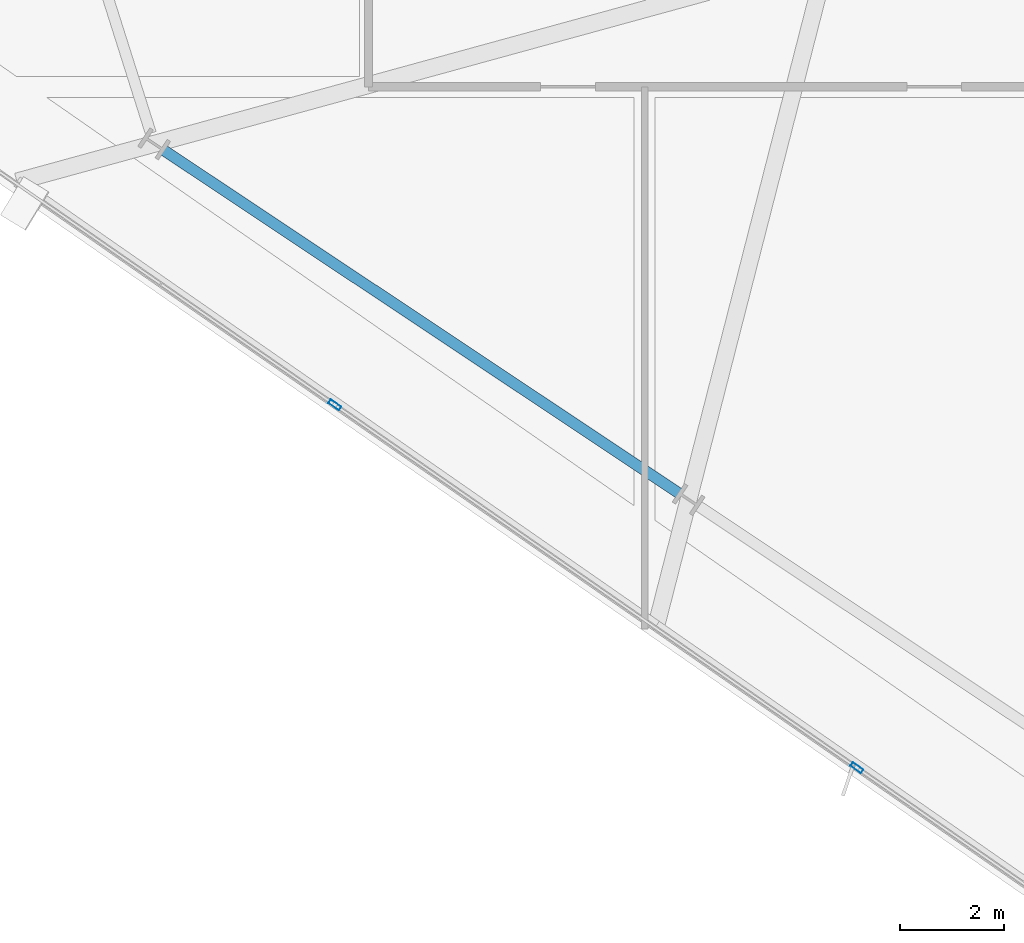
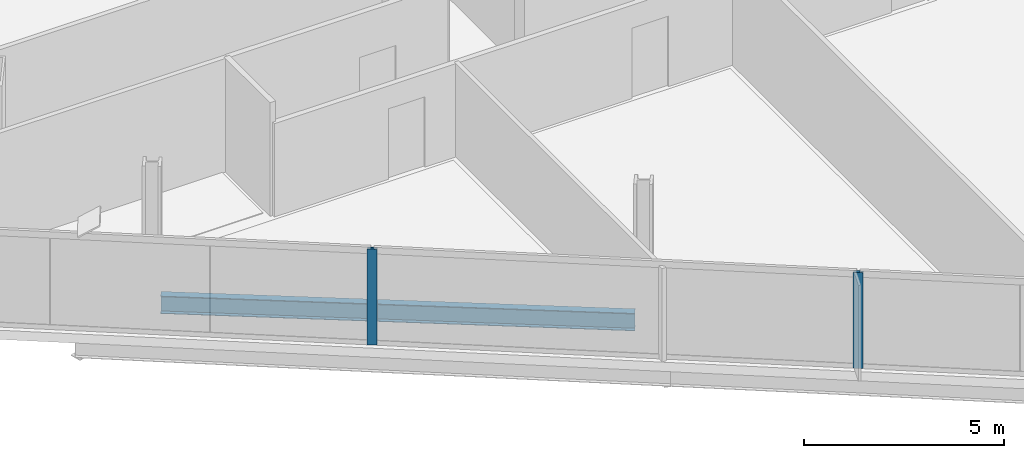
# One storey, part 2 of 30: 2 members, 1 beam, 1 element without a shape of its own.
"""IFC4 building model written with IfcOpenShell, lengths in metres."""

import ifcopenshell
import ifcopenshell.guid

model = None  # the IFC model being written
_history = None  # IfcOwnerHistory: only IFC2X3 demands one
_inside = {}  # id of a spatial element -> (the spatial element, [elements in it])
_under = {}  # id of a project, library or spatial element -> (it, [spatial elements below it])
_declared = {}  # id of a project -> (the project, [libraries it declares])
_typed = {}  # id of a type object -> (the type object, [elements of that type])
_made_of = {}  # id of a material, layer set ... -> (it, [elements and type objects made of it])


def new_model(schema):
    """Start an empty IFC model of exactly this schema.

    Asked for "IFC4X3", IfcOpenShell would pick the latest addendum, in which some entities
    have other attributes; the version numbers below select the first issue.
    IFC2X3 requires an IfcOwnerHistory on every rooted entity: one is made here for all.
    """
    global model, _history
    if schema == "IFC4X3":
        model = ifcopenshell.file(schema_version=(4, 3, 0, 0))
    else:
        model = ifcopenshell.file(schema=schema)
    _inside.clear()
    _under.clear()
    _declared.clear()
    _typed.clear()
    _made_of.clear()
    _history = None
    if model.schema == "IFC2X3":
        org = make("IfcOrganization", Name="unknown")
        user = make(
            "IfcPersonAndOrganization",
            ThePerson=make("IfcPerson", FamilyName="unknown"),
            TheOrganization=org,
        )
        app = make(
            "IfcApplication",
            ApplicationDeveloper=org,
            Version="unknown",
            ApplicationFullName="unknown",
            ApplicationIdentifier="unknown",
        )
        _history = make(
            "IfcOwnerHistory",
            OwningUser=user,
            OwningApplication=app,
            ChangeAction="ADDED",
            CreationDate=0,
        )
    return model


def make(cls, **values):
    """One entity of the class cls with the attributes given. An attribute that is None is left unset."""
    return model.create_entity(
        cls, **{name: value for name, value in values.items() if value is not None}
    )


def rooted(cls, **values):
    """An entity with a GlobalId (a new one), such as an element, a storey or a relation."""
    return make(cls, GlobalId=ifcopenshell.guid.new(), OwnerHistory=_history, **values)


def si_unit(unit_type, name, prefix=None):
    """IfcSIUnit, for example si_unit("LENGTHUNIT", "METRE", prefix="MILLI")."""
    return make("IfcSIUnit", UnitType=unit_type, Prefix=prefix, Name=name)


def assignment(units):
    """IfcUnitAssignment: the units of a project."""
    return None if units is None else make("IfcUnitAssignment", Units=units)


def point(xyz):
    """IfcCartesianPoint."""
    return None if xyz is None else make("IfcCartesianPoint", Coordinates=xyz)


def direction(xyz):
    """IfcDirection."""
    return None if xyz is None else make("IfcDirection", DirectionRatios=xyz)


def frame(location, z_axis=None, x_axis=None):
    """IfcAxis2Placement3D, a coordinate frame: its origin and axes. An axis left out is left unset."""
    return make(
        "IfcAxis2Placement3D",
        Location=point(location),
        Axis=direction(z_axis),
        RefDirection=direction(x_axis),
    )


def frame_2d(location, x_axis=None):
    """IfcAxis2Placement2D, a coordinate frame in the plane: its origin and x axis."""
    return make(
        "IfcAxis2Placement2D", Location=point(location), RefDirection=direction(x_axis)
    )


def origin():
    """The frame at (0, 0, 0) with its axes left unset."""
    return frame((0.0, 0.0, 0.0))


def origin_2d():
    """The frame at (0, 0) in the plane with its x axis left unset."""
    return frame_2d((0.0, 0.0))


def place(relative_to, where):
    """IfcLocalPlacement: puts the frame where relative to a parent placement (None: the world)."""
    return make(
        "IfcLocalPlacement", PlacementRelTo=relative_to, RelativePlacement=where
    )


def context(
    kind, dimensions, precision=None, world=None, true_north=None, identifier=None
):
    """IfcGeometricRepresentationContext, for example the 3D "Model" context."""
    return make(
        "IfcGeometricRepresentationContext",
        ContextIdentifier=identifier,
        ContextType=kind,
        CoordinateSpaceDimension=dimensions,
        Precision=precision,
        WorldCoordinateSystem=world,
        TrueNorth=true_north,
    )


def subcontext(parent, identifier, kind, view, scale=None):
    """IfcGeometricRepresentationSubContext, for example "Body" below "Model"."""
    return make(
        "IfcGeometricRepresentationSubContext",
        ContextIdentifier=identifier,
        ContextType=kind,
        ParentContext=parent,
        TargetScale=scale,
        TargetView=view,
    )


def project(units=None, contexts=None):
    """IfcProject with its units and contexts."""
    return rooted(
        "IfcProject",
        Name="project",
        RepresentationContexts=contexts,
        UnitsInContext=assignment(units),
    )


def spatial(cls, under=None, at=None, **own):
    """A site, building, storey or space (cls), placed at a placement, below another one or the project."""
    s = rooted(cls, ObjectPlacement=at, **own)
    if under is not None:
        _under.setdefault(under.id(), (under, []))[1].append(s)
    return s


def profile(cls, at=None, kind="AREA", **sizes):
    """A parametric profile (cls). Its sizes go by their IFC names, for example OverallWidth=200.0."""
    return make(cls, ProfileType=kind, Position=at, **sizes)


def hollow_rectangle(**sizes):
    """IfcRectangleHollowProfileDef."""
    return profile("IfcRectangleHollowProfileDef", **sizes)


def i_section(**sizes):
    """IfcIShapeProfileDef."""
    return profile("IfcIShapeProfileDef", **sizes)


def extrude(swept, where, along, depth):
    """IfcExtrudedAreaSolid: the profile swept, set in the frame where, extruded along a direction by depth."""
    return make(
        "IfcExtrudedAreaSolid",
        SweptArea=swept,
        Position=where,
        ExtrudedDirection=direction(along),
        Depth=depth,
    )


def shape(context_of_items, identifier, shape_type, items):
    """IfcShapeRepresentation: the items that make up one representation, for example the "Body"."""
    return make(
        "IfcShapeRepresentation",
        ContextOfItems=context_of_items,
        RepresentationIdentifier=identifier,
        RepresentationType=shape_type,
        Items=items,
    )


def material(Name=None, Category=None):
    """IfcMaterial."""
    return make("IfcMaterial", Name=Name, Category=Category)


def material_profile(
    of_material, cross_section, Name=None, Category=None, Priority=None
):
    """IfcMaterialProfile: a cross section and its material."""
    return make(
        "IfcMaterialProfile",
        Name=Name,
        Material=of_material,
        Profile=cross_section,
        Priority=Priority,
        Category=Category,
    )


def profile_set(profiles, Name=None, composite=None):
    """IfcMaterialProfileSet."""
    return make(
        "IfcMaterialProfileSet",
        Name=Name,
        MaterialProfiles=profiles,
        CompositeProfile=composite,
    )


def made_of(thing, what):
    """Note that an element or type object is made of a material, layer set ...; save() writes the relation."""
    if what is not None:
        _made_of.setdefault(what.id(), (what, []))[1].append(thing)
    return thing


def type_object(cls, material=None, **own):
    """A type object (cls), such as IfcWallType, which elements share."""
    return made_of(rooted(cls, **own), material)


def element(
    cls,
    number,
    at=None,
    inside=None,
    cuts=None,
    type_object=None,
    material=None,
    context=None,
    identifier="Body",
    shape_type=None,
    held_by="IfcProductDefinitionShape",
    body=None,
    shapes=None,
    **own,
):
    """One element of the class cls, such as IfcWall. Its Tag is "e" and its number.

    at: its placement. inside: the storey or other place that contains it. cuts: it is an
    opening in that element (IfcRelVoidsElement). A single representation is given by context,
    identifier, shape_type and body (its items); several are given by shapes. held_by: the class
    of the entity that holds the representations. save() writes the other relations.
    """
    e = rooted(cls, Tag="e%d" % number, ObjectPlacement=at, **own)
    if body is not None:
        shapes = [shape(context, identifier, shape_type, body)]
    if shapes is not None:
        e.Representation = make(held_by, Representations=shapes)
    if inside is not None:
        _inside.setdefault(inside.id(), (inside, []))[1].append(e)
    if cuts is not None:
        rooted(
            "IfcRelVoidsElement", RelatingBuildingElement=cuts, RelatedOpeningElement=e
        )
    if type_object is not None:
        _typed.setdefault(type_object.id(), (type_object, []))[1].append(e)
    return made_of(e, material)


def aggregate(whole, parts):
    """IfcRelAggregates: a whole, such as a stair, and the parts it consists of."""
    return rooted("IfcRelAggregates", RelatingObject=whole, RelatedObjects=parts)


def save(model, path):
    """Write the relations noted so far, then the file.

    IfcRelAggregates (storeys below a building ...), IfcRelContainedInSpatialStructure (elements
    in a storey), IfcRelDefinesByType, IfcRelAssociatesMaterial and IfcRelDeclares: one each for
    every whole, place, type object, material and project.
    """
    for whole, parts in _under.values():
        aggregate(whole, parts)
    for where, things in _inside.values():
        rooted(
            "IfcRelContainedInSpatialStructure",
            RelatedElements=things,
            RelatingStructure=where,
        )
    for kind, things in _typed.values():
        rooted("IfcRelDefinesByType", RelatedObjects=things, RelatingType=kind)
    for what, things in _made_of.values():
        rooted("IfcRelAssociatesMaterial", RelatedObjects=things, RelatingMaterial=what)
    for by, libraries in _declared.values():
        rooted("IfcRelDeclares", RelatingContext=by, RelatedDefinitions=libraries)
    model.write(path)


model = new_model("IFC4")

# Units and contexts
model_context = context("Model", 3, precision=1e-05, world=origin(), true_north=direction((0.0, 1.0)))
body_context = subcontext(model_context, "Body", "Model", "MODEL_VIEW")
ifc_project = project(units=[si_unit("LENGTHUNIT", "METRE"), si_unit("AREAUNIT", "SQUARE_METRE"), si_unit("VOLUMEUNIT", "CUBIC_METRE"), si_unit("PLANEANGLEUNIT", "RADIAN"), si_unit("MASSUNIT", "GRAM", prefix="KILO")], contexts=[model_context])

# Site, building, storey
site_placement = place(None, origin())
site = spatial("IfcSite", under=ifc_project, at=site_placement, CompositionType="ELEMENT")
building_placement = place(site_placement, origin())
building = spatial("IfcBuilding", under=site, at=building_placement, Name="Haldenkirk Collegiate Tower", CompositionType="ELEMENT")
storey_placement = place(building_placement, frame((0.0, 0.0, 213.449951171875)))
storey = spatial("IfcBuildingStorey", under=building, at=storey_placement, Name="L53", CompositionType="ELEMENT", Elevation=213.449951171875)

# Beam
ifc_material_1 = material(Name="Steel ASTM A992 Grade 50", Category="steel")
ifc_material_profile_1 = material_profile(ifc_material_1, i_section(OverallWidth=0.2099609375, OverallDepth=0.537109375, WebThickness=0.010986328125, FlangeThickness=0.017333984375, at=origin_2d()), Name="W21X68")
ifc_profile_set_1 = profile_set([ifc_material_profile_1], Name="Steel ASTM A992 Grade 50")
beam_type = type_object("IfcBeamType", Name="BM-SPANDREL-W21X68", PredefinedType="SPANDREL", material=ifc_profile_set_1)
beam_placement = place(storey_placement, frame((14.26904296875, 14.337158203125, -0.54833984375), z_axis=(0.832438805455, -0.554116986901, 0.0), x_axis=(0.554116986901, 0.832438805455, 0.0)))
element("IfcBeam", 1, at=beam_placement, inside=storey, type_object=beam_type, Name="L53 perimeter spandrel beam 14", PredefinedType="SPANDREL", context=body_context, shape_type="SweptSolid", body=[
    extrude(i_section(OverallWidth=0.2099609375, OverallDepth=0.537109375, WebThickness=0.010986328125, FlangeThickness=0.017333984375, at=origin_2d()), origin(), (0.0, 0.0, 1.0), 11.885009765625),
])

# Curtain wall, members
ifc_material_2 = material(Name="Anodised architectural bronze aluminium", Category="aluminium")
curtain_wall_type = type_object("IfcCurtainWallType", Name="CW-SYS1B-CONVEX-HI", PredefinedType="USERDEFINED", material=ifc_material_2)
curtain_wall_placement = place(storey_placement, origin())
curtain_wall = element("IfcCurtainWall", 2, at=curtain_wall_placement, inside=storey, type_object=curtain_wall_type, Name="L53 Upper tower high-wind convex bronze unitised curtain wall", ObjectType="UNITISED CURTAIN WALL", PredefinedType="USERDEFINED")
ifc_material_profile_2 = material_profile(ifc_material_2, hollow_rectangle(XDim=0.0849609375, YDim=0.25, WallThickness=0.0048828125, at=origin_2d()), Name="CW-MUL-1B")
ifc_profile_set_2 = profile_set([ifc_material_profile_2], Name="Anodised architectural bronze aluminium")
member_type = type_object("IfcMemberType", Name="CW-MUL-1B", PredefinedType="MULLION", material=ifc_profile_set_2)
member_1_placement = place(storey_placement, frame((27.57177734375, 2.484130859375, 0.0), z_axis=(0.0, 0.0, 1.0), x_axis=(-0.570714605919, -0.821148487541, 0.0)))
member_1 = element("IfcMember", 3, at=member_1_placement, type_object=member_type, Name="CW-1B mullion 2", PredefinedType="MULLION", context=body_context, shape_type="SweptSolid", body=[
    extrude(hollow_rectangle(XDim=0.0849609375, YDim=0.25, WallThickness=0.0048828125, at=origin_2d()), origin(), (0.0, 0.0, 1.0), 2.927978515625),
])
member_2_placement = place(storey_placement, frame((17.553955078125, 9.447021484375, 0.0), z_axis=(0.0, 0.0, 1.0), x_axis=(-0.570714605919, -0.821148487541, 0.0)))
member_2 = element("IfcMember", 4, at=member_2_placement, type_object=member_type, Name="CW-1B mullion 3", PredefinedType="MULLION", context=body_context, shape_type="SweptSolid", body=[
    extrude(hollow_rectangle(XDim=0.0849609375, YDim=0.25, WallThickness=0.0048828125, at=origin_2d()), origin(), (0.0, 0.0, 1.0), 2.927978515625),
])
aggregate(curtain_wall, [member_1, member_2])

save(model, "model.ifc")
